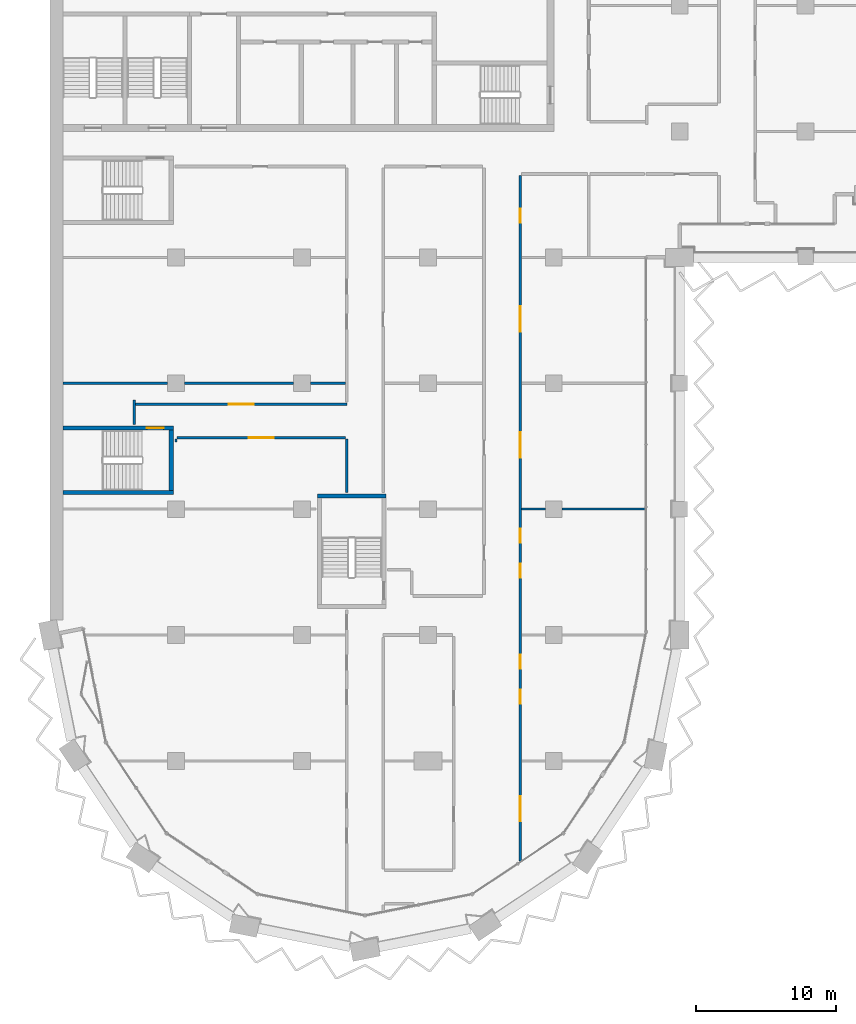
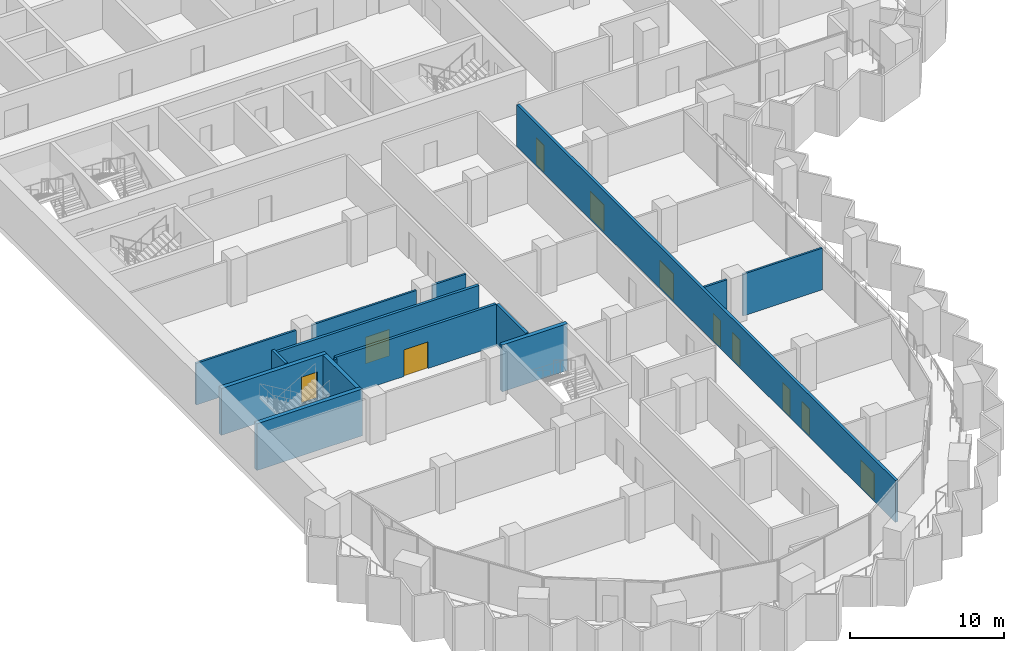
# One storey, part 11 of 23: 15 walls, 11 doors, 11 openings.
"""IFC4 building model written with IfcOpenShell, lengths in metres."""

from ifc_helpers import new_model, si_unit, direction, frame, frame_2d, origin, place, context, subcontext, project, spatial, rectangle, extrude, material, layer, layer_set, type_object, element, fill, save


model = new_model("IFC4")

# Units and contexts
model_context = context("Model", 3, precision=1e-05, world=origin(), true_north=direction((0.0, 1.0)))
body_context = subcontext(model_context, "Body", "Model", "MODEL_VIEW")
ifc_project = project(units=[si_unit("LENGTHUNIT", "METRE"), si_unit("AREAUNIT", "SQUARE_METRE"), si_unit("VOLUMEUNIT", "CUBIC_METRE"), si_unit("PLANEANGLEUNIT", "RADIAN"), si_unit("MASSUNIT", "GRAM", prefix="KILO")], contexts=[model_context])

# Site, building, storey
site_placement = place(None, origin())
site = spatial("IfcSite", under=ifc_project, at=site_placement, CompositionType="ELEMENT")
building_placement = place(site_placement, origin())
building = spatial("IfcBuilding", under=site, at=building_placement, Name="Hunhe Ridgeline Campus", CompositionType="ELEMENT")
storey_placement = place(building_placement, frame((0.0, 0.0, 170.800048828125)))
storey = spatial("IfcBuildingStorey", under=building, at=storey_placement, Name="L43", CompositionType="ELEMENT", Elevation=170.800048828125)

# Wall, opening, door
ifc_material_1 = material(Name="Gypsum board partition")
ifc_layer_1 = layer(ifc_material_1, 0.199951171875)
ifc_layer_set_1 = layer_set([ifc_layer_1], Name="Corridor partition 200 gypsum board on steel studs")
wall_type_1 = type_object("IfcWallType", Name="Corridor partition 200 gypsum board on steel studs", PredefinedType="PARTITIONING", material=ifc_layer_set_1)
wall_1_placement = place(storey_placement, frame((21.10009765625, 41.10009765625, 0.0), z_axis=(0.0, 0.0, 1.0), x_axis=(-1.0, 0.0, 0.0)))
wall_1 = element("IfcWall", 1, at=wall_1_placement, inside=storey, type_object=wall_type_1, Name="F-L43-wall-026", PredefinedType="PARTITIONING", context=body_context, shape_type="SweptSolid", body=[
    extrude(rectangle(XDim=12.025146484375, YDim=0.199951171875, at=frame_2d((6.0126953125, 0.0))), origin(), (0.0, 0.0, 1.0), 3.300048828125),
])
opening_1_placement = place(wall_1_placement, frame((5.112548828125, 0.0, 0.0)))
opening_1 = element("IfcOpeningElement", 2, at=opening_1_placement, cuts=wall_1, Name="Opening RD2-016", PredefinedType="OPENING", context=body_context, shape_type="SweptSolid", body=[
    extrude(rectangle(XDim=1.800048828125, YDim=2.10009765625, at=frame_2d((0.89990234375, 1.050048828125))), frame((0.0, 0.10009765625, 0.0), z_axis=(0.0, -1.0, 0.0), x_axis=(1.0, 0.0, 0.0)), (0.0, 0.0, 1.0), 0.199951171875),
])
ifc_material_2 = material(Name="Timber door leaf", Category="wood")
door_type_1 = type_object("IfcDoorType", Name="Double fire door 1800x2100 timber FD60", OperationType="DOUBLE_DOOR_SINGLE_SWING", PredefinedType="DOOR", material=ifc_material_2)
door_1_placement = place(opening_1_placement, origin())
door_1 = element("IfcDoor", 3, at=door_1_placement, inside=storey, type_object=door_type_1, Name="F-L43-door-016", OperationType="DOUBLE_DOOR_SINGLE_SWING", OverallHeight=2.10009765625, OverallWidth=1.800048828125, PredefinedType="DOOR", context=body_context, shape_type="SweptSolid", body=[
    extrude(rectangle(XDim=1.800048828125, YDim=2.10009765625, at=frame_2d((0.89990234375, 1.050048828125))), frame((0.0, 0.02490234375, 0.0), z_axis=(0.0, -1.0, 0.0), x_axis=(1.0, 0.0, 0.0)), (0.0, 0.0, 1.0), 0.050048828125),
])
fill(opening_1, door_1)

wall_2_placement = place(storey_placement, frame((6.10009765625, 43.5, 0.0), z_axis=(0.0, 0.0, 1.0), x_axis=(1.0, 0.0, 0.0)))
wall_2 = element("IfcWall", 4, at=wall_2_placement, inside=storey, type_object=wall_type_1, Name="F-L43-wall-027", PredefinedType="PARTITIONING", context=body_context, shape_type="SweptSolid", body=[
    extrude(rectangle(XDim=15.099853515625, YDim=0.199951171875, at=frame_2d((7.5498046875, 0.0))), origin(), (0.0, 0.0, 1.0), 3.300048828125),
])
opening_2_placement = place(wall_2_placement, frame((6.64990234375, 0.0, 0.0)))
opening_2 = element("IfcOpeningElement", 5, at=opening_2_placement, cuts=wall_2, Name="Opening RD2-017", PredefinedType="OPENING", context=body_context, shape_type="SweptSolid", body=[
    extrude(rectangle(XDim=1.800048828125, YDim=2.10009765625, at=frame_2d((0.89990234375, 1.050048828125))), frame((0.0, 0.10009765625, 0.0), z_axis=(0.0, -1.0, 0.0), x_axis=(1.0, 0.0, 0.0)), (0.0, 0.0, 1.0), 0.199951171875),
])
door_2_placement = place(opening_2_placement, origin())
door_2 = element("IfcDoor", 6, at=door_2_placement, inside=storey, type_object=door_type_1, Name="F-L43-door-017", OperationType="DOUBLE_DOOR_SINGLE_SWING", OverallHeight=2.10009765625, OverallWidth=1.800048828125, PredefinedType="DOOR", context=body_context, shape_type="SweptSolid", body=[
    extrude(rectangle(XDim=1.800048828125, YDim=2.10009765625, at=frame_2d((0.89990234375, 1.050048828125))), frame((0.0, 0.02490234375, 0.0), z_axis=(0.0, -1.0, 0.0), x_axis=(1.0, 0.0, 0.0)), (0.0, 0.0, 1.0), 0.050048828125),
])
fill(opening_2, door_2)

# Walls
wall_3_placement = place(storey_placement, frame((6.0, 42.053955078125, 0.0), z_axis=(0.0, 0.0, 1.0), x_axis=(0.0, 1.0, 0.0)))
element("IfcWall", 7, at=wall_3_placement, inside=storey, type_object=wall_type_1, Name="F-L43-wall-061", PredefinedType="PARTITIONING", context=body_context, shape_type="SweptSolid", body=[
    extrude(rectangle(XDim=1.74609375, YDim=0.199951171875, at=frame_2d((0.873046875, 0.0))), origin(), (0.0, 0.0, 1.0), 3.300048828125),
])
wall_4_placement = place(storey_placement, frame((21.199951171875, 37.2041015625, 0.0), z_axis=(0.0, 0.0, 1.0), x_axis=(0.0, 1.0, 0.0)))
element("IfcWall", 8, at=wall_4_placement, inside=storey, type_object=wall_type_1, Name="F-L43-wall-064", PredefinedType="PARTITIONING", context=body_context, shape_type="SweptSolid", body=[
    extrude(rectangle(XDim=3.7958984375, YDim=0.199951171875, at=frame_2d((1.89794921875, 0.0))), origin(), (0.0, 0.0, 1.0), 3.300048828125),
])

# Wall, openings, doors
wall_5_placement = place(storey_placement, frame((33.60009765625, 59.85107421875, 0.0), z_axis=(0.0, 0.0, 1.0), x_axis=(0.0, -1.0, 0.0)))
wall_5 = element("IfcWall", 9, at=wall_5_placement, inside=storey, type_object=wall_type_1, Name="F-L43-wall-072", PredefinedType="PARTITIONING", context=body_context, shape_type="SweptSolid", body=[
    extrude(rectangle(XDim=49.022216796875, YDim=0.199951171875, at=frame_2d((24.51123046875, 0.0))), origin(), (0.0, 0.0, 1.0), 3.300048828125),
])
opening_3_placement = place(wall_5_placement, frame((44.37060546875, 0.0, 0.0)))
opening_3 = element("IfcOpeningElement", 10, at=opening_3_placement, cuts=wall_5, Name="Opening RD2-003", PredefinedType="OPENING", context=body_context, shape_type="SweptSolid", body=[
    extrude(rectangle(XDim=1.800048828125, YDim=2.10009765625, at=frame_2d((0.89990234375, 1.050048828125))), frame((0.0, 0.10009765625, 0.0), z_axis=(0.0, -1.0, 0.0), x_axis=(1.0, 0.0, 0.0)), (0.0, 0.0, 1.0), 0.199951171875),
])
opening_4_placement = place(wall_5_placement, frame((36.766845703125, 0.0, 0.0)))
opening_4 = element("IfcOpeningElement", 11, at=opening_4_placement, cuts=wall_5, Name="Opening RD1-007", PredefinedType="OPENING", context=body_context, shape_type="SweptSolid", body=[
    extrude(rectangle(XDim=1.0, YDim=2.10009765625, at=frame_2d((0.5, 1.050048828125))), frame((0.0, 0.10009765625, 0.0), z_axis=(0.0, -1.0, 0.0), x_axis=(1.0, 0.0, 0.0)), (0.0, 0.0, 1.0), 0.199951171875),
])
opening_5_placement = place(wall_5_placement, frame((34.266845703125, 0.0, 0.0)))
opening_5 = element("IfcOpeningElement", 12, at=opening_5_placement, cuts=wall_5, Name="Opening RD1-009", PredefinedType="OPENING", context=body_context, shape_type="SweptSolid", body=[
    extrude(rectangle(XDim=1.0, YDim=2.10009765625, at=frame_2d((0.5, 1.050048828125))), frame((0.0, 0.10009765625, 0.0), z_axis=(0.0, -1.0, 0.0), x_axis=(1.0, 0.0, 0.0)), (0.0, 0.0, 1.0), 0.199951171875),
])
opening_6_placement = place(wall_5_placement, frame((27.7626953125, 0.0, 0.0)))
opening_6 = element("IfcOpeningElement", 13, at=opening_6_placement, cuts=wall_5, Name="Opening RD1-011", PredefinedType="OPENING", context=body_context, shape_type="SweptSolid", body=[
    extrude(rectangle(XDim=1.0, YDim=2.10009765625, at=frame_2d((0.5, 1.050048828125))), frame((0.0, 0.10009765625, 0.0), z_axis=(0.0, -1.0, 0.0), x_axis=(1.0, 0.0, 0.0)), (0.0, 0.0, 1.0), 0.199951171875),
])
opening_7_placement = place(wall_5_placement, frame((25.2626953125, 0.0, 0.0)))
opening_7 = element("IfcOpeningElement", 14, at=opening_7_placement, cuts=wall_5, Name="Opening RD1-013", PredefinedType="OPENING", context=body_context, shape_type="SweptSolid", body=[
    extrude(rectangle(XDim=1.0, YDim=2.10009765625, at=frame_2d((0.5, 1.050048828125))), frame((0.0, 0.10009765625, 0.0), z_axis=(0.0, -1.0, 0.0), x_axis=(1.0, 0.0, 0.0)), (0.0, 0.0, 1.0), 0.199951171875),
])
opening_8_placement = place(wall_5_placement, frame((18.358642578125, 0.0, 0.0)))
opening_8 = element("IfcOpeningElement", 15, at=opening_8_placement, cuts=wall_5, Name="Opening RD2-015", PredefinedType="OPENING", context=body_context, shape_type="SweptSolid", body=[
    extrude(rectangle(XDim=1.800048828125, YDim=2.10009765625, at=frame_2d((0.89990234375, 1.050048828125))), frame((0.0, 0.10009765625, 0.0), z_axis=(0.0, -1.0, 0.0), x_axis=(1.0, 0.0, 0.0)), (0.0, 0.0, 1.0), 0.199951171875),
])
opening_9_placement = place(wall_5_placement, frame((9.3544921875, 0.0, 0.0)))
opening_9 = element("IfcOpeningElement", 16, at=opening_9_placement, cuts=wall_5, Name="Opening RD2-020", PredefinedType="OPENING", context=body_context, shape_type="SweptSolid", body=[
    extrude(rectangle(XDim=1.800048828125, YDim=2.10009765625, at=frame_2d((0.89990234375, 1.050048828125))), frame((0.0, 0.10009765625, 0.0), z_axis=(0.0, -1.0, 0.0), x_axis=(1.0, 0.0, 0.0)), (0.0, 0.0, 1.0), 0.199951171875),
])
opening_10_placement = place(wall_5_placement, frame((2.376220703125, 0.0, 0.0)))
opening_10 = element("IfcOpeningElement", 17, at=opening_10_placement, cuts=wall_5, Name="Opening RD1-022", PredefinedType="OPENING", context=body_context, shape_type="SweptSolid", body=[
    extrude(rectangle(XDim=1.0, YDim=2.10009765625, at=frame_2d((0.5, 1.050048828125))), frame((0.0, 0.10009765625, 0.0), z_axis=(0.0, -1.0, 0.0), x_axis=(1.0, 0.0, 0.0)), (0.0, 0.0, 1.0), 0.199951171875),
])
door_3_placement = place(opening_3_placement, origin())
door_3 = element("IfcDoor", 18, at=door_3_placement, inside=storey, type_object=door_type_1, Name="F-L43-door-003", OperationType="DOUBLE_DOOR_SINGLE_SWING", OverallHeight=2.10009765625, OverallWidth=1.800048828125, PredefinedType="DOOR", context=body_context, shape_type="SweptSolid", body=[
    extrude(rectangle(XDim=1.800048828125, YDim=2.10009765625, at=frame_2d((0.89990234375, 1.050048828125))), frame((0.0, 0.02490234375, 0.0), z_axis=(0.0, -1.0, 0.0), x_axis=(1.0, 0.0, 0.0)), (0.0, 0.0, 1.0), 0.050048828125),
])
fill(opening_3, door_3)
door_4_placement = place(opening_8_placement, origin())
door_4 = element("IfcDoor", 19, at=door_4_placement, inside=storey, type_object=door_type_1, Name="F-L43-door-015", OperationType="DOUBLE_DOOR_SINGLE_SWING", OverallHeight=2.10009765625, OverallWidth=1.800048828125, PredefinedType="DOOR", context=body_context, shape_type="SweptSolid", body=[
    extrude(rectangle(XDim=1.800048828125, YDim=2.10009765625, at=frame_2d((0.89990234375, 1.050048828125))), frame((0.0, 0.02490234375, 0.0), z_axis=(0.0, -1.0, 0.0), x_axis=(1.0, 0.0, 0.0)), (0.0, 0.0, 1.0), 0.050048828125),
])
fill(opening_8, door_4)
door_5_placement = place(opening_9_placement, origin())
door_5 = element("IfcDoor", 20, at=door_5_placement, inside=storey, type_object=door_type_1, Name="F-L43-door-020", OperationType="DOUBLE_DOOR_SINGLE_SWING", OverallHeight=2.10009765625, OverallWidth=1.800048828125, PredefinedType="DOOR", context=body_context, shape_type="SweptSolid", body=[
    extrude(rectangle(XDim=1.800048828125, YDim=2.10009765625, at=frame_2d((0.89990234375, 1.050048828125))), frame((0.0, 0.02490234375, 0.0), z_axis=(0.0, -1.0, 0.0), x_axis=(1.0, 0.0, 0.0)), (0.0, 0.0, 1.0), 0.050048828125),
])
fill(opening_9, door_5)
door_type_2 = type_object("IfcDoorType", Name="Single fire door 1000x2100 timber FD60", OperationType="NOTDEFINED", PredefinedType="DOOR", material=ifc_material_2)
door_6_placement = place(opening_4_placement, frame((1.0, 0.0, 0.0), z_axis=(0.0, 0.0, 1.0), x_axis=(-1.0, 0.0, 0.0)))
door_6 = element("IfcDoor", 21, at=door_6_placement, inside=storey, type_object=door_type_2, Name="F-L43-door-007", OperationType="SINGLE_SWING_RIGHT", OverallHeight=2.10009765625, OverallWidth=1.0, PredefinedType="DOOR", context=body_context, shape_type="SweptSolid", body=[
    extrude(rectangle(XDim=1.0, YDim=2.10009765625, at=frame_2d((0.5, 1.050048828125))), frame((0.0, 0.02490234375, 0.0), z_axis=(0.0, -1.0, 0.0), x_axis=(1.0, 0.0, 0.0)), (0.0, 0.0, 1.0), 0.050048828125),
])
fill(opening_4, door_6)
door_7_placement = place(opening_5_placement, frame((1.0, 0.0, 0.0), z_axis=(0.0, 0.0, 1.0), x_axis=(-1.0, 0.0, 0.0)))
door_7 = element("IfcDoor", 22, at=door_7_placement, inside=storey, type_object=door_type_2, Name="F-L43-door-009", OperationType="SINGLE_SWING_RIGHT", OverallHeight=2.10009765625, OverallWidth=1.0, PredefinedType="DOOR", context=body_context, shape_type="SweptSolid", body=[
    extrude(rectangle(XDim=1.0, YDim=2.10009765625, at=frame_2d((0.5, 1.050048828125))), frame((0.0, 0.02490234375, 0.0), z_axis=(0.0, -1.0, 0.0), x_axis=(1.0, 0.0, 0.0)), (0.0, 0.0, 1.0), 0.050048828125),
])
fill(opening_5, door_7)
door_8_placement = place(opening_6_placement, frame((1.0, 0.0, 0.0), z_axis=(0.0, 0.0, 1.0), x_axis=(-1.0, 0.0, 0.0)))
door_8 = element("IfcDoor", 23, at=door_8_placement, inside=storey, type_object=door_type_2, Name="F-L43-door-011", OperationType="SINGLE_SWING_RIGHT", OverallHeight=2.10009765625, OverallWidth=1.0, PredefinedType="DOOR", context=body_context, shape_type="SweptSolid", body=[
    extrude(rectangle(XDim=1.0, YDim=2.10009765625, at=frame_2d((0.5, 1.050048828125))), frame((0.0, 0.02490234375, 0.0), z_axis=(0.0, -1.0, 0.0), x_axis=(1.0, 0.0, 0.0)), (0.0, 0.0, 1.0), 0.050048828125),
])
fill(opening_6, door_8)
door_9_placement = place(opening_7_placement, frame((1.0, 0.0, 0.0), z_axis=(0.0, 0.0, 1.0), x_axis=(-1.0, 0.0, 0.0)))
door_9 = element("IfcDoor", 24, at=door_9_placement, inside=storey, type_object=door_type_2, Name="F-L43-door-013", OperationType="SINGLE_SWING_RIGHT", OverallHeight=2.10009765625, OverallWidth=1.0, PredefinedType="DOOR", context=body_context, shape_type="SweptSolid", body=[
    extrude(rectangle(XDim=1.0, YDim=2.10009765625, at=frame_2d((0.5, 1.050048828125))), frame((0.0, 0.02490234375, 0.0), z_axis=(0.0, -1.0, 0.0), x_axis=(1.0, 0.0, 0.0)), (0.0, 0.0, 1.0), 0.050048828125),
])
fill(opening_7, door_9)
door_10_placement = place(opening_10_placement, origin())
door_10 = element("IfcDoor", 25, at=door_10_placement, inside=storey, type_object=door_type_2, Name="F-L43-door-022", OperationType="SINGLE_SWING_LEFT", OverallHeight=2.10009765625, OverallWidth=1.0, PredefinedType="DOOR", context=body_context, shape_type="SweptSolid", body=[
    extrude(rectangle(XDim=1.0, YDim=2.10009765625, at=frame_2d((0.5, 1.050048828125))), frame((0.0, 0.02490234375, 0.0), z_axis=(0.0, -1.0, 0.0), x_axis=(1.0, 0.0, 0.0)), (0.0, 0.0, 1.0), 0.050048828125),
])
fill(opening_10, door_10)

# Walls
ifc_layer_2 = layer(ifc_material_1, 0.14990234375)
ifc_layer_set_2 = layer_set([ifc_layer_2], Name="Room partition 150 gypsum board on steel studs")
wall_type_2 = type_object("IfcWallType", Name="Room partition 150 gypsum board on steel studs", PredefinedType="PARTITIONING", material=ifc_layer_set_2)
wall_6_placement = place(storey_placement, frame((33.699951171875, 36.0, 0.0), z_axis=(0.0, 0.0, 1.0), x_axis=(1.0, 0.0, 0.0)))
element("IfcWall", 26, at=wall_6_placement, inside=storey, type_object=wall_type_2, Name="F-L43-wall-024", PredefinedType="PARTITIONING", context=body_context, shape_type="SweptSolid", body=[
    extrude(rectangle(XDim=1.699951171875, YDim=0.14990234375, at=frame_2d((0.85009765625, 0.0))), origin(), (0.0, 0.0, 1.0), 3.300048828125),
])
wall_7_placement = place(storey_placement, frame((36.60009765625, 36.0, 0.0), z_axis=(0.0, 0.0, 1.0), x_axis=(1.0, 0.0, 0.0)))
element("IfcWall", 27, at=wall_7_placement, inside=storey, type_object=wall_type_2, Name="F-L43-wall-025", PredefinedType="PARTITIONING", context=body_context, shape_type="SweptSolid", body=[
    extrude(rectangle(XDim=5.94482421875, YDim=0.14990234375, at=frame_2d((2.972412109375, 0.0))), origin(), (0.0, 0.0, 1.0), 3.300048828125),
])
wall_8_placement = place(storey_placement, frame((0.919921875, 45.0, 0.0), z_axis=(0.0, 0.0, 1.0), x_axis=(1.0, 0.0, 0.0)))
element("IfcWall", 28, at=wall_8_placement, inside=storey, type_object=wall_type_2, Name="F-L43-wall-028", PredefinedType="PARTITIONING", context=body_context, shape_type="SweptSolid", body=[
    extrude(rectangle(XDim=7.47998046875, YDim=0.14990234375, at=frame_2d((3.739990234375, 0.0))), origin(), (0.0, 0.0, 1.0), 3.300048828125),
])
wall_9_placement = place(storey_placement, frame((9.60009765625, 45.0, 0.0), z_axis=(0.0, 0.0, 1.0), x_axis=(1.0, 0.0, 0.0)))
element("IfcWall", 29, at=wall_9_placement, inside=storey, type_object=wall_type_2, Name="F-L43-wall-029", PredefinedType="PARTITIONING", context=body_context, shape_type="SweptSolid", body=[
    extrude(rectangle(XDim=7.7998046875, YDim=0.14990234375, at=frame_2d((3.89990234375, 0.0))), origin(), (0.0, 0.0, 1.0), 3.300048828125),
])
wall_10_placement = place(storey_placement, frame((18.60009765625, 45.0, 0.0), z_axis=(0.0, 0.0, 1.0), x_axis=(1.0, 0.0, 0.0)))
element("IfcWall", 30, at=wall_10_placement, inside=storey, type_object=wall_type_2, Name="F-L43-wall-030", PredefinedType="PARTITIONING", context=body_context, shape_type="SweptSolid", body=[
    extrude(rectangle(XDim=2.5, YDim=0.14990234375, at=frame_2d((1.25, 0.0))), origin(), (0.0, 0.0, 1.0), 3.300048828125),
])
wall_11_placement = place(storey_placement, frame((9.0, 41.0, 0.0), z_axis=(0.0, 0.0, 1.0), x_axis=(0.0, -1.0, 0.0)))
element("IfcWall", 31, at=wall_11_placement, inside=storey, type_object=wall_type_2, Name="F-L43-wall-062", PredefinedType="PARTITIONING", context=body_context, shape_type="SweptSolid", body=[
    extrude(rectangle(XDim=0.199951171875, YDim=0.14990234375, at=frame_2d((0.10009765625, 0.0))), origin(), (0.0, 0.0, 1.0), 3.300048828125),
])
ifc_material_3 = material(Name="Concrete C70", Category="concrete")
ifc_layer_3 = layer(ifc_material_3, 0.300048828125)
ifc_layer_set_3 = layer_set([ifc_layer_3], Name="Stair wall 300 reinforced concrete C70")
wall_type_3 = type_object("IfcWallType", Name="Stair wall 300 reinforced concrete C70", PredefinedType="SOLIDWALL", material=ifc_layer_set_3)
wall_12_placement = place(storey_placement, frame((19.10009765625, 36.949951171875, -0.400146484375), z_axis=(0.0, 0.0, 1.0), x_axis=(1.0, 0.0, 0.0)))
element("IfcWall", 32, at=wall_12_placement, inside=storey, type_object=wall_type_3, Name="L43 core wall 2", PredefinedType="SOLIDWALL", context=body_context, shape_type="SweptSolid", body=[
    extrude(rectangle(XDim=4.89990234375, YDim=0.300048828125, at=frame_2d((2.449951171875, 0.0))), origin(), (0.0, 0.0, 1.0), 3.7001953125),
])
wall_13_placement = place(storey_placement, frame((0.89990234375, 37.199951171875, -0.400146484375), z_axis=(0.0, 0.0, 1.0), x_axis=(1.0, 0.0, 0.0)))
element("IfcWall", 33, at=wall_13_placement, inside=storey, type_object=wall_type_3, Name="L43 core wall 3", PredefinedType="SOLIDWALL", context=body_context, shape_type="SweptSolid", body=[
    extrude(rectangle(XDim=7.900146484375, YDim=0.300048828125, at=frame_2d((3.9501953125, 0.0))), origin(), (0.0, 0.0, 1.0), 3.7001953125),
])

# Wall, opening, door
wall_14_placement = place(storey_placement, frame((0.89990234375, 41.800048828125, -0.400146484375), z_axis=(0.0, 0.0, 1.0), x_axis=(1.0, 0.0, 0.0)))
wall_14 = element("IfcWall", 34, at=wall_14_placement, inside=storey, type_object=wall_type_3, Name="L43 core wall 4", PredefinedType="SOLIDWALL", context=body_context, shape_type="SweptSolid", body=[
    extrude(rectangle(XDim=7.900146484375, YDim=0.300048828125, at=frame_2d((3.9501953125, 0.0))), origin(), (0.0, 0.0, 1.0), 3.7001953125),
])
opening_11_placement = place(wall_14_placement, frame((6.0, 0.0, 0.39990234375)))
opening_11 = element("IfcOpeningElement", 35, at=opening_11_placement, cuts=wall_14, Name="Opening CD21", PredefinedType="OPENING", context=body_context, shape_type="SweptSolid", body=[
    extrude(rectangle(XDim=1.199951171875, YDim=2.10009765625, at=frame_2d((0.60009765625, 1.050048828125))), frame((0.0, 0.14990234375, 0.0), z_axis=(0.0, -1.0, 0.0), x_axis=(1.0, 0.0, 0.0)), (0.0, 0.0, 1.0), 0.300048828125),
])
ifc_material_4 = material(Name="Hollow metal fire door leaf")
door_type_3 = type_object("IfcDoorType", Name="Stair door 1200x2100 FD60", OperationType="SINGLE_SWING_LEFT", PredefinedType="DOOR", material=ifc_material_4)
door_11_placement = place(opening_11_placement, origin())
door_11 = element("IfcDoor", 36, at=door_11_placement, inside=storey, type_object=door_type_3, Name="L43 door W1", OperationType="SINGLE_SWING_LEFT", OverallHeight=2.10009765625, OverallWidth=1.199951171875, PredefinedType="DOOR", context=body_context, shape_type="SweptSolid", body=[
    extrude(rectangle(XDim=1.199951171875, YDim=2.10009765625, at=frame_2d((0.60009765625, 1.050048828125))), frame((0.0, 0.02490234375, 0.0), z_axis=(0.0, -1.0, 0.0), x_axis=(1.0, 0.0, 0.0)), (0.0, 0.0, 1.0), 0.050048828125),
])
fill(opening_11, door_11)

# Wall
wall_15_placement = place(storey_placement, frame((8.64990234375, 37.35009765625, -0.400146484375), z_axis=(0.0, 0.0, 1.0), x_axis=(0.0, 1.0, 0.0)))
element("IfcWall", 37, at=wall_15_placement, inside=storey, type_object=wall_type_3, Name="L43 core wall 37", PredefinedType="SOLIDWALL", context=body_context, shape_type="SweptSolid", body=[
    extrude(rectangle(XDim=4.2998046875, YDim=0.300048828125, at=frame_2d((2.14990234375, 0.0))), origin(), (0.0, 0.0, 1.0), 3.7001953125),
])

save(model, "model.ifc")
